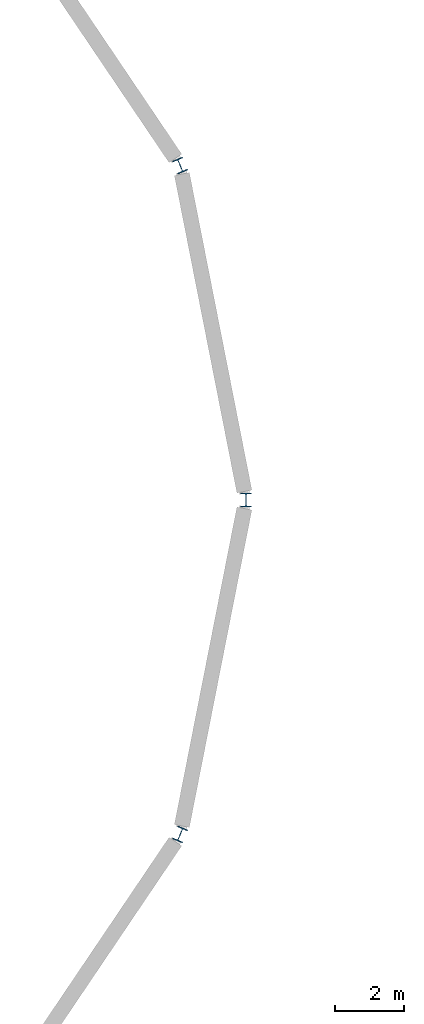
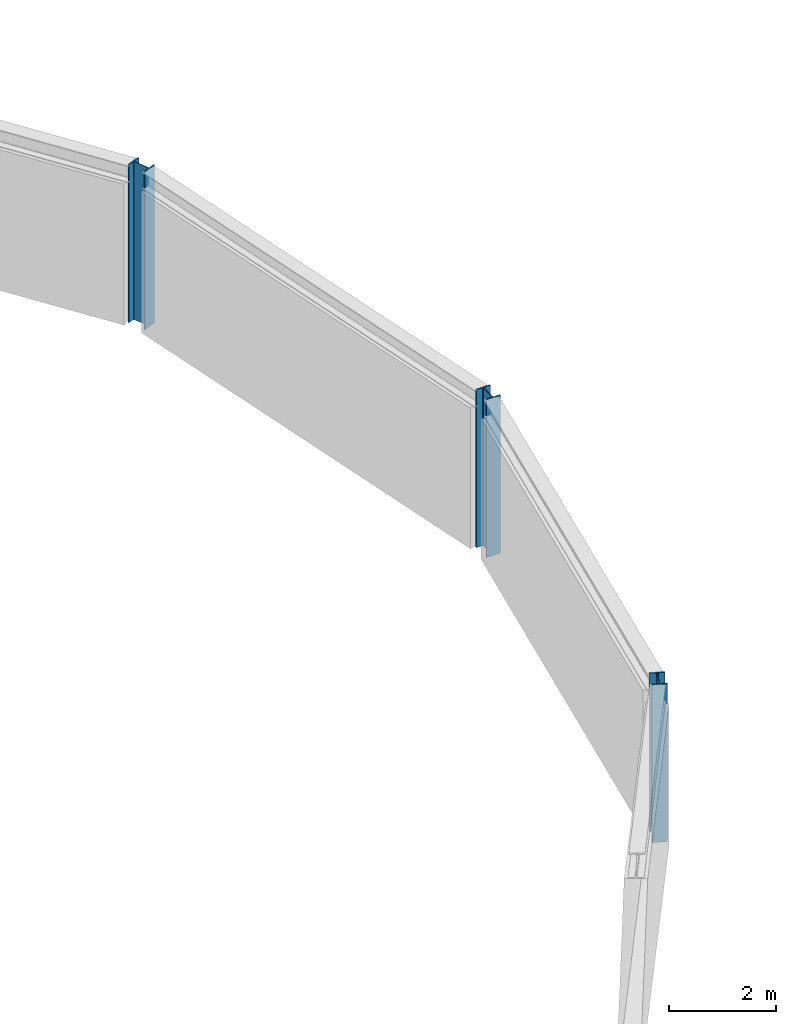
# One storey, part 3 of 120: 3 columns.
"""IFC4 building model written with IfcOpenShell, lengths in metres."""

from ifc_helpers import new_model, si_unit, direction, frame, origin, origin_2d, place, context, subcontext, project, spatial, i_section, extrude, material, material_profile, profile_set, type_object, element, save


model = new_model("IFC4")

# Units and contexts
model_context = context("Model", 3, precision=1e-05, world=origin(), true_north=direction((0.0, 1.0)))
body_context = subcontext(model_context, "Body", "Model", "MODEL_VIEW")
ifc_project = project(units=[si_unit("LENGTHUNIT", "METRE"), si_unit("AREAUNIT", "SQUARE_METRE"), si_unit("VOLUMEUNIT", "CUBIC_METRE"), si_unit("PLANEANGLEUNIT", "RADIAN"), si_unit("MASSUNIT", "GRAM", prefix="KILO")], contexts=[model_context])

# Site, building, storey
site_placement = place(None, origin())
site = spatial("IfcSite", under=ifc_project, at=site_placement, CompositionType="ELEMENT")
building_placement = place(site_placement, origin())
building = spatial("IfcBuilding", under=site, at=building_placement, Name="Kupolbacken Congress Centre", CompositionType="ELEMENT")
storey_placement = place(building_placement, frame((0.0, 0.0, 21.60009765625)))
storey = spatial("IfcBuildingStorey", under=building, at=storey_placement, Name="L06", CompositionType="ELEMENT", Elevation=21.60009765625)

# Columns
ifc_material = material(Name="Steel S355", Category="steel")
ifc_material_profile = material_profile(ifc_material, i_section(OverallWidth=0.300048828125, OverallDepth=0.39990234375, WebThickness=0.013427734375, FlangeThickness=0.02392578125, FilletRadius=0.027099609375, at=origin_2d()), Name="HEB 400")
ifc_profile_set = profile_set([ifc_material_profile], Name="Steel S355")
column_type = type_object("IfcColumnType", Name="C08 column HEB 400", PredefinedType="COLUMN", material=ifc_profile_set)
for number, where, z_axis, x_axis, name in (
    (1, (68.39990234375, 86.39990234375, 0.0), (0.0, 0.0, 1.0), (1.0, 0.0, 0.0), "S/col/C-D01/L06"),
    (2, (66.5, 96.050048828125, 0.0), (0.0, 0.0, 1.0), (0.923896018243, 0.382643629864, 0.0), "S/col/C-D02/L06"),
    (3, (66.5, 76.75, 0.0), (0.0, 0.0, 1.0), (0.923896018243, -0.382643629864, 0.0), "S/col/C-D16/L06"),
):
    element("IfcColumn", number, at=place(storey_placement, frame(where, z_axis=z_axis, x_axis=x_axis)), inside=storey, type_object=column_type, Name=name, PredefinedType="COLUMN", context=body_context, shape_type="SweptSolid", body=[
        extrude(i_section(OverallWidth=0.300048828125, OverallDepth=0.39990234375, WebThickness=0.013427734375, FlangeThickness=0.02392578125, FilletRadius=0.027099609375, at=origin_2d()), origin(), (0.0, 0.0, 1.0), 3.599853515625),
    ])

save(model, "model.ifc")
